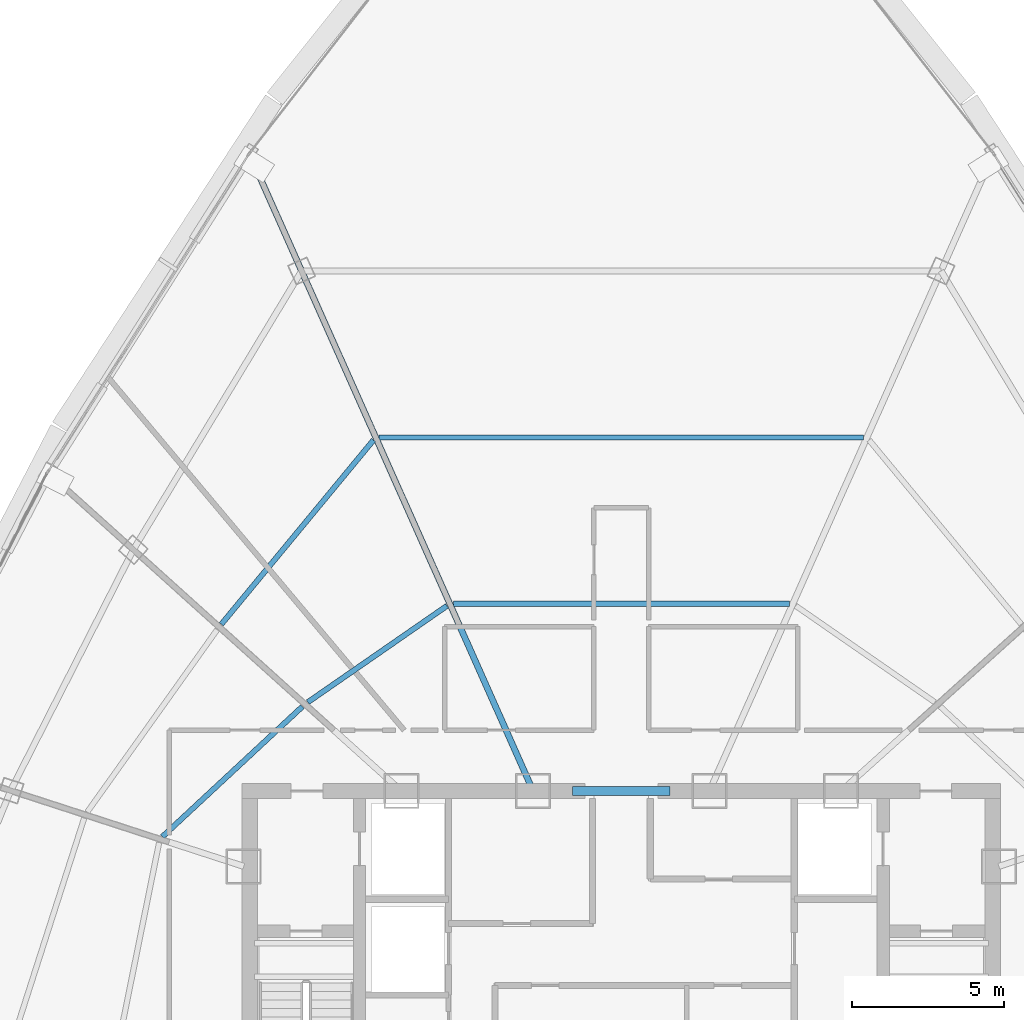
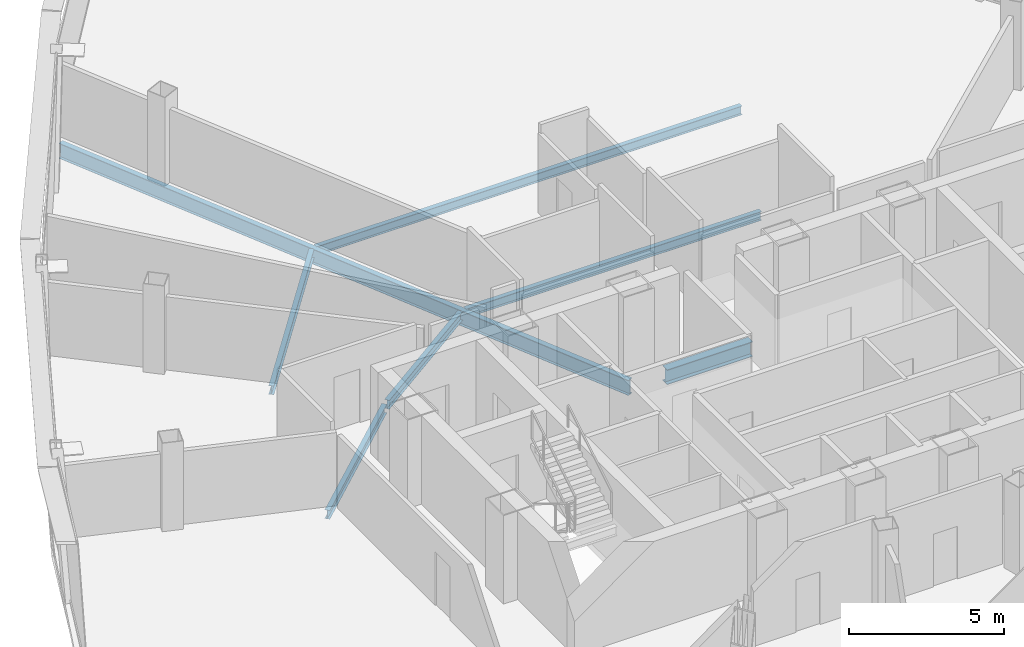
# One storey, part 11 of 34: 7 beams.
"""IFC4 building model written with IfcOpenShell, lengths in metres."""

from ifc_helpers import new_model, si_unit, direction, frame, origin, origin_2d, place, context, subcontext, project, spatial, i_section, extrude, source, transform, mapped, material, material_profile, profile_set, type_object, element, save


model = new_model("IFC4")

# Units and contexts
model_context = context("Model", 3, precision=1e-05, world=origin(), true_north=direction((0.0, 1.0)))
body_context = subcontext(model_context, "Body", "Model", "MODEL_VIEW")
ifc_project = project(units=[si_unit("LENGTHUNIT", "METRE"), si_unit("AREAUNIT", "SQUARE_METRE"), si_unit("VOLUMEUNIT", "CUBIC_METRE"), si_unit("PLANEANGLEUNIT", "RADIAN"), si_unit("MASSUNIT", "GRAM", prefix="KILO"), si_unit("THERMODYNAMICTEMPERATUREUNIT", "KELVIN"), si_unit("POWERUNIT", "WATT")], contexts=[model_context])

# Site, building, storey
site_placement = place(None, origin())
site = spatial("IfcSite", under=ifc_project, at=site_placement, CompositionType="ELEMENT")
building_placement = place(site_placement, origin())
building = spatial("IfcBuilding", under=site, at=building_placement, Name="Yunzhuo Pagoda Commons", CompositionType="ELEMENT")
storey_placement = place(building_placement, frame((0.0, 0.0, 333.010009765625)))
storey = spatial("IfcBuildingStorey", under=building, at=storey_placement, Name="L83", CompositionType="ELEMENT", Elevation=333.010009765625)

# Beams
ifc_material_1 = material(Name="Structural steel Q420B", Category="steel")
ifc_material_profile_1 = material_profile(ifc_material_1, i_section(OverallWidth=0.300048828125, OverallDepth=0.587890625, WebThickness=0.011962890625, FlangeThickness=0.02001953125, at=origin_2d()), Name="Structural steel Q420B")
ifc_profile_set_1 = profile_set([ifc_material_profile_1], Name="Structural steel Q420B")
beam_type_1 = type_object("IfcBeamType", Name="B-CPL Beam HM 588x300x12x20", PredefinedType="BEAM", material=ifc_profile_set_1)
shared_shape_1 = source(origin(), body_context, "Body", "SweptSolid", [
    extrude(i_section(OverallWidth=0.300048828125, OverallDepth=0.587890625, WebThickness=0.011962890625, FlangeThickness=0.02001953125, at=origin_2d()), origin(), (0.0, 0.0, 1.0), 3.2001953125),
])
beam_1_placement = place(storey_placement, frame((46.39990234375, 40.199951171875, -0.553955078125), z_axis=(1.0, 0.0, 0.0), x_axis=(0.0, 1.0, 0.0)))
element("IfcBeam", 1, at=beam_1_placement, inside=storey, type_object=beam_type_1, Name="L83 core coupling girder", PredefinedType="BEAM", context=body_context, shape_type="MappedRepresentation", body=[
    mapped(shared_shape_1, transform((0.0, 0.0, 0.0), scale=1.0)),
])
ifc_material_2 = material(Name="Structural steel Q355B", Category="steel")
ifc_material_profile_2 = material_profile(ifc_material_2, i_section(OverallWidth=0.199951171875, OverallDepth=0.60009765625, WebThickness=0.010986328125, FlangeThickness=0.01708984375, at=origin_2d()), Name="Structural steel Q355B")
ifc_profile_set_2 = profile_set([ifc_material_profile_2], Name="Structural steel Q355B")
beam_type_2 = type_object("IfcBeamType", Name="B-RG3 Beam HN 600x200x11x17", PredefinedType="BEAM", material=ifc_profile_set_2)
shared_shape_2 = source(origin(), body_context, "Body", "SweptSolid", [
    extrude(i_section(OverallWidth=0.199951171875, OverallDepth=0.60009765625, WebThickness=0.010986328125, FlangeThickness=0.01708984375, at=origin_2d()), origin(), (0.0, 0.0, 1.0), 22.76953125),
])
beam_2_placement = place(storey_placement, frame((35.8447265625, 61.0009765625, -0.56005859375), z_axis=(0.406737276471, -0.913545175637, 0.0), x_axis=(0.913545175637, 0.406737276471, 0.0)))
element("IfcBeam", 2, at=beam_2_placement, inside=storey, type_object=beam_type_2, Name="L83 radial floor girder F3C1", PredefinedType="BEAM", context=body_context, shape_type="MappedRepresentation", body=[
    mapped(shared_shape_2, transform((0.0, 0.0, 0.0), scale=1.0)),
])
ifc_material_profile_3 = material_profile(ifc_material_2, i_section(OverallWidth=0.175048828125, OverallDepth=0.35009765625, WebThickness=0.007080078125, FlangeThickness=0.010986328125, at=origin_2d()), Name="Structural steel Q355B")
ifc_profile_set_3 = profile_set([ifc_material_profile_3], Name="Structural steel Q355B")
beam_type_3 = type_object("IfcBeamType", Name="B-JS2 Joist HN 350x175x7x11", PredefinedType="JOIST", material=ifc_profile_set_3)
shared_shape_3 = source(origin(), body_context, "Body", "SweptSolid", [
    extrude(i_section(OverallWidth=0.175048828125, OverallDepth=0.35009765625, WebThickness=0.007080078125, FlangeThickness=0.010986328125, at=origin_2d()), origin(), (0.0, 0.0, 1.0), 6.277099609375),
])
beam_3_placement = place(storey_placement, frame((37.526611328125, 42.97607421875, -0.43505859375), z_axis=(-0.73244154109, -0.68082992655, 0.0), x_axis=(0.68082992655, -0.73244154109, 0.0)))
element("IfcBeam", 3, at=beam_3_placement, inside=storey, type_object=beam_type_3, Name="L83 composite ring joist 1.10", PredefinedType="JOIST", context=body_context, shape_type="MappedRepresentation", body=[
    mapped(shared_shape_3, transform((0.0, 0.0, 0.0), scale=1.0)),
])
shared_shape_4 = source(origin(), body_context, "Body", "SweptSolid", [
    extrude(i_section(OverallWidth=0.175048828125, OverallDepth=0.35009765625, WebThickness=0.007080078125, FlangeThickness=0.010986328125, at=origin_2d()), origin(), (0.0, 0.0, 1.0), 5.556640625),
])
beam_4_placement = place(storey_placement, frame((42.273681640625, 46.28369140625, -0.43505859375), z_axis=(-0.822084621883, -0.569365326011, 0.0), x_axis=(0.569365326011, -0.822084621883, 0.0)))
element("IfcBeam", 4, at=beam_4_placement, inside=storey, type_object=beam_type_3, Name="L83 composite ring joist 1.9", PredefinedType="JOIST", context=body_context, shape_type="MappedRepresentation", body=[
    mapped(shared_shape_4, transform((0.0, 0.0, 0.0), scale=1.0)),
])
shared_shape_5 = source(origin(), body_context, "Body", "SweptSolid", [
    extrude(i_section(OverallWidth=0.175048828125, OverallDepth=0.35009765625, WebThickness=0.007080078125, FlangeThickness=0.010986328125, at=origin_2d()), origin(), (0.0, 0.0, 1.0), 7.842529296875),
])
beam_5_placement = place(storey_placement, frame((39.861328125, 51.726318359375, -0.43505859375), z_axis=(-0.636899145749, -0.770947130577, 0.0), x_axis=(0.770947130577, -0.636899145749, 0.0)))
element("IfcBeam", 5, at=beam_5_placement, inside=storey, type_object=beam_type_3, Name="L83 composite ring joist 2.9", PredefinedType="JOIST", context=body_context, shape_type="MappedRepresentation", body=[
    mapped(shared_shape_5, transform((0.0, 0.0, 0.0), scale=1.0)),
])
shared_shape_6 = source(origin(), body_context, "Body", "SweptSolid", [
    extrude(i_section(OverallWidth=0.175048828125, OverallDepth=0.35009765625, WebThickness=0.007080078125, FlangeThickness=0.010986328125, at=origin_2d()), origin(), (0.0, 0.0, 1.0), 11.03369140625),
])
beam_6_placement = place(storey_placement, frame((53.516845703125, 46.34912109375, -0.43505859375), z_axis=(-1.0, 0.0, 0.0), x_axis=(0.0, -1.0, 0.0)))
element("IfcBeam", 6, at=beam_6_placement, inside=storey, type_object=beam_type_3, Name="L83 composite ring joist 1.8", PredefinedType="JOIST", context=body_context, shape_type="MappedRepresentation", body=[
    mapped(shared_shape_6, transform((0.0, 0.0, 0.0), scale=1.0)),
])
shared_shape_7 = source(origin(), body_context, "Body", "SweptSolid", [
    extrude(i_section(OverallWidth=0.175048828125, OverallDepth=0.35009765625, WebThickness=0.007080078125, FlangeThickness=0.010986328125, at=origin_2d()), origin(), (0.0, 0.0, 1.0), 15.900390625),
])
beam_7_placement = place(storey_placement, frame((55.9501953125, 51.81494140625, -0.43505859375), z_axis=(-1.0, 0.0, 0.0), x_axis=(0.0, -1.0, 0.0)))
element("IfcBeam", 7, at=beam_7_placement, inside=storey, type_object=beam_type_3, Name="L83 composite ring joist 2.8", PredefinedType="JOIST", context=body_context, shape_type="MappedRepresentation", body=[
    mapped(shared_shape_7, transform((0.0, 0.0, 0.0), scale=1.0)),
])

save(model, "model.ifc")
